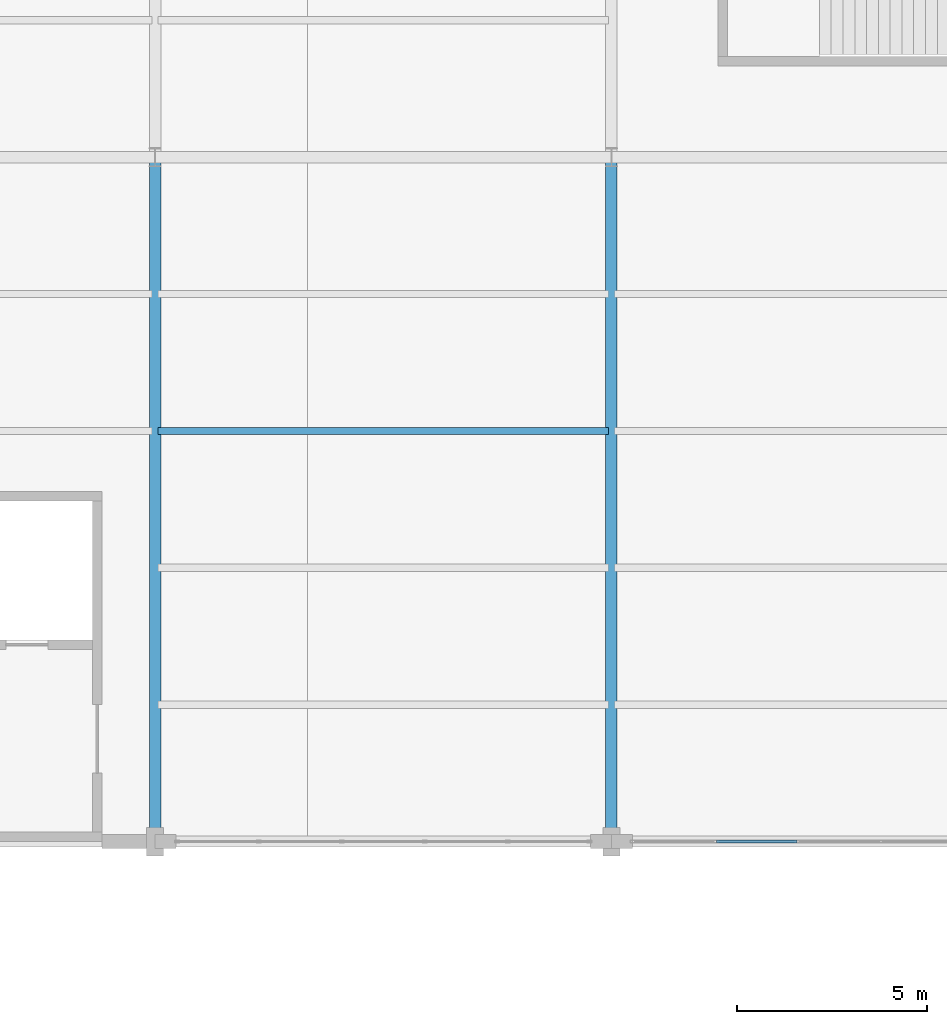
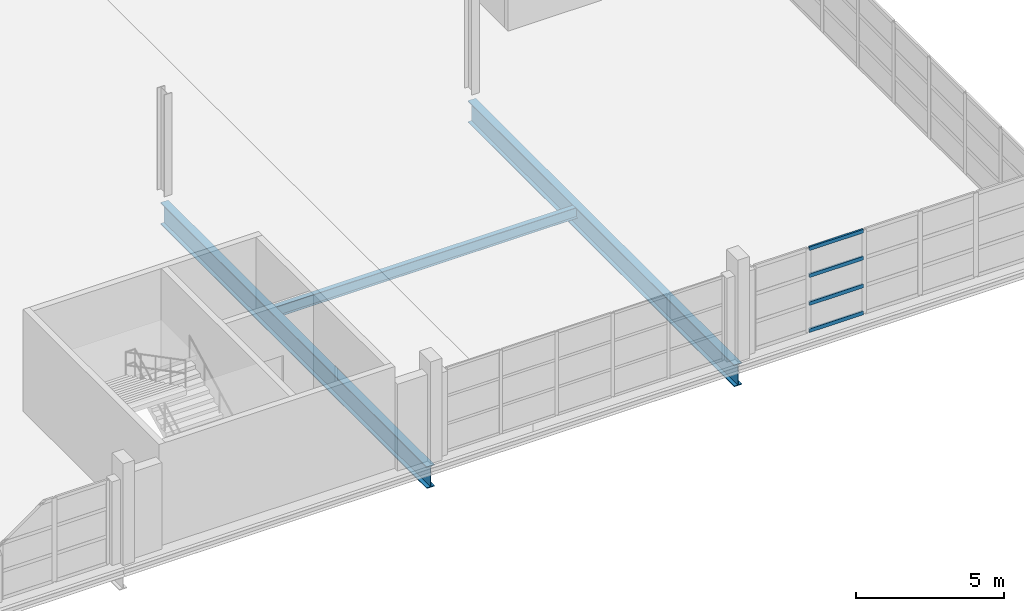
# One storey, part 99 of 147: 4 members, 3 beams, 1 element without a shape of its own.
"""IFC4 building model written with IfcOpenShell, lengths in metres."""

import ifcopenshell
import ifcopenshell.guid

model = None  # the IFC model being written
_history = None  # IfcOwnerHistory: only IFC2X3 demands one
_inside = {}  # id of a spatial element -> (the spatial element, [elements in it])
_under = {}  # id of a project, library or spatial element -> (it, [spatial elements below it])
_declared = {}  # id of a project -> (the project, [libraries it declares])
_typed = {}  # id of a type object -> (the type object, [elements of that type])
_made_of = {}  # id of a material, layer set ... -> (it, [elements and type objects made of it])


def new_model(schema):
    """Start an empty IFC model of exactly this schema.

    Asked for "IFC4X3", IfcOpenShell would pick the latest addendum, in which some entities
    have other attributes; the version numbers below select the first issue.
    IFC2X3 requires an IfcOwnerHistory on every rooted entity: one is made here for all.
    """
    global model, _history
    if schema == "IFC4X3":
        model = ifcopenshell.file(schema_version=(4, 3, 0, 0))
    else:
        model = ifcopenshell.file(schema=schema)
    _inside.clear()
    _under.clear()
    _declared.clear()
    _typed.clear()
    _made_of.clear()
    _history = None
    if model.schema == "IFC2X3":
        org = make("IfcOrganization", Name="unknown")
        user = make(
            "IfcPersonAndOrganization",
            ThePerson=make("IfcPerson", FamilyName="unknown"),
            TheOrganization=org,
        )
        app = make(
            "IfcApplication",
            ApplicationDeveloper=org,
            Version="unknown",
            ApplicationFullName="unknown",
            ApplicationIdentifier="unknown",
        )
        _history = make(
            "IfcOwnerHistory",
            OwningUser=user,
            OwningApplication=app,
            ChangeAction="ADDED",
            CreationDate=0,
        )
    return model


def make(cls, **values):
    """One entity of the class cls with the attributes given. An attribute that is None is left unset."""
    return model.create_entity(
        cls, **{name: value for name, value in values.items() if value is not None}
    )


def rooted(cls, **values):
    """An entity with a GlobalId (a new one), such as an element, a storey or a relation."""
    return make(cls, GlobalId=ifcopenshell.guid.new(), OwnerHistory=_history, **values)


def si_unit(unit_type, name, prefix=None):
    """IfcSIUnit, for example si_unit("LENGTHUNIT", "METRE", prefix="MILLI")."""
    return make("IfcSIUnit", UnitType=unit_type, Prefix=prefix, Name=name)


def assignment(units):
    """IfcUnitAssignment: the units of a project."""
    return None if units is None else make("IfcUnitAssignment", Units=units)


def point(xyz):
    """IfcCartesianPoint."""
    return None if xyz is None else make("IfcCartesianPoint", Coordinates=xyz)


def direction(xyz):
    """IfcDirection."""
    return None if xyz is None else make("IfcDirection", DirectionRatios=xyz)


def frame(location, z_axis=None, x_axis=None):
    """IfcAxis2Placement3D, a coordinate frame: its origin and axes. An axis left out is left unset."""
    return make(
        "IfcAxis2Placement3D",
        Location=point(location),
        Axis=direction(z_axis),
        RefDirection=direction(x_axis),
    )


def frame_2d(location, x_axis=None):
    """IfcAxis2Placement2D, a coordinate frame in the plane: its origin and x axis."""
    return make(
        "IfcAxis2Placement2D", Location=point(location), RefDirection=direction(x_axis)
    )


def origin():
    """The frame at (0, 0, 0) with its axes left unset."""
    return frame((0.0, 0.0, 0.0))


def origin_2d():
    """The frame at (0, 0) in the plane with its x axis left unset."""
    return frame_2d((0.0, 0.0))


def place(relative_to, where):
    """IfcLocalPlacement: puts the frame where relative to a parent placement (None: the world)."""
    return make(
        "IfcLocalPlacement", PlacementRelTo=relative_to, RelativePlacement=where
    )


def context(
    kind, dimensions, precision=None, world=None, true_north=None, identifier=None
):
    """IfcGeometricRepresentationContext, for example the 3D "Model" context."""
    return make(
        "IfcGeometricRepresentationContext",
        ContextIdentifier=identifier,
        ContextType=kind,
        CoordinateSpaceDimension=dimensions,
        Precision=precision,
        WorldCoordinateSystem=world,
        TrueNorth=true_north,
    )


def subcontext(parent, identifier, kind, view, scale=None):
    """IfcGeometricRepresentationSubContext, for example "Body" below "Model"."""
    return make(
        "IfcGeometricRepresentationSubContext",
        ContextIdentifier=identifier,
        ContextType=kind,
        ParentContext=parent,
        TargetScale=scale,
        TargetView=view,
    )


def project(units=None, contexts=None):
    """IfcProject with its units and contexts."""
    return rooted(
        "IfcProject",
        Name="project",
        RepresentationContexts=contexts,
        UnitsInContext=assignment(units),
    )


def spatial(cls, under=None, at=None, **own):
    """A site, building, storey or space (cls), placed at a placement, below another one or the project."""
    s = rooted(cls, ObjectPlacement=at, **own)
    if under is not None:
        _under.setdefault(under.id(), (under, []))[1].append(s)
    return s


def profile(cls, at=None, kind="AREA", **sizes):
    """A parametric profile (cls). Its sizes go by their IFC names, for example OverallWidth=200.0."""
    return make(cls, ProfileType=kind, Position=at, **sizes)


def hollow_rectangle(**sizes):
    """IfcRectangleHollowProfileDef."""
    return profile("IfcRectangleHollowProfileDef", **sizes)


def i_section(**sizes):
    """IfcIShapeProfileDef."""
    return profile("IfcIShapeProfileDef", **sizes)


def extrude(swept, where, along, depth):
    """IfcExtrudedAreaSolid: the profile swept, set in the frame where, extruded along a direction by depth."""
    return make(
        "IfcExtrudedAreaSolid",
        SweptArea=swept,
        Position=where,
        ExtrudedDirection=direction(along),
        Depth=depth,
    )


def shape(context_of_items, identifier, shape_type, items):
    """IfcShapeRepresentation: the items that make up one representation, for example the "Body"."""
    return make(
        "IfcShapeRepresentation",
        ContextOfItems=context_of_items,
        RepresentationIdentifier=identifier,
        RepresentationType=shape_type,
        Items=items,
    )


def material(Name=None, Category=None):
    """IfcMaterial."""
    return make("IfcMaterial", Name=Name, Category=Category)


def layer(
    of_material, thickness, ventilated=None, Name=None, Category=None, Priority=None
):
    """IfcMaterialLayer: one layer of a wall or slab, of a material (None: an air gap)."""
    return make(
        "IfcMaterialLayer",
        Material=of_material,
        LayerThickness=thickness,
        IsVentilated=ventilated,
        Name=Name,
        Category=Category,
        Priority=Priority,
    )


def layer_set(layers, Name=None):
    """IfcMaterialLayerSet."""
    return make("IfcMaterialLayerSet", MaterialLayers=layers, LayerSetName=Name)


def material_profile(
    of_material, cross_section, Name=None, Category=None, Priority=None
):
    """IfcMaterialProfile: a cross section and its material."""
    return make(
        "IfcMaterialProfile",
        Name=Name,
        Material=of_material,
        Profile=cross_section,
        Priority=Priority,
        Category=Category,
    )


def profile_set(profiles, Name=None, composite=None):
    """IfcMaterialProfileSet."""
    return make(
        "IfcMaterialProfileSet",
        Name=Name,
        MaterialProfiles=profiles,
        CompositeProfile=composite,
    )


def made_of(thing, what):
    """Note that an element or type object is made of a material, layer set ...; save() writes the relation."""
    if what is not None:
        _made_of.setdefault(what.id(), (what, []))[1].append(thing)
    return thing


def type_object(cls, material=None, **own):
    """A type object (cls), such as IfcWallType, which elements share."""
    return made_of(rooted(cls, **own), material)


def element(
    cls,
    number,
    at=None,
    inside=None,
    cuts=None,
    type_object=None,
    material=None,
    context=None,
    identifier="Body",
    shape_type=None,
    held_by="IfcProductDefinitionShape",
    body=None,
    shapes=None,
    **own,
):
    """One element of the class cls, such as IfcWall. Its Tag is "e" and its number.

    at: its placement. inside: the storey or other place that contains it. cuts: it is an
    opening in that element (IfcRelVoidsElement). A single representation is given by context,
    identifier, shape_type and body (its items); several are given by shapes. held_by: the class
    of the entity that holds the representations. save() writes the other relations.
    """
    e = rooted(cls, Tag="e%d" % number, ObjectPlacement=at, **own)
    if body is not None:
        shapes = [shape(context, identifier, shape_type, body)]
    if shapes is not None:
        e.Representation = make(held_by, Representations=shapes)
    if inside is not None:
        _inside.setdefault(inside.id(), (inside, []))[1].append(e)
    if cuts is not None:
        rooted(
            "IfcRelVoidsElement", RelatingBuildingElement=cuts, RelatedOpeningElement=e
        )
    if type_object is not None:
        _typed.setdefault(type_object.id(), (type_object, []))[1].append(e)
    return made_of(e, material)


def aggregate(whole, parts):
    """IfcRelAggregates: a whole, such as a stair, and the parts it consists of."""
    return rooted("IfcRelAggregates", RelatingObject=whole, RelatedObjects=parts)


def save(model, path):
    """Write the relations noted so far, then the file.

    IfcRelAggregates (storeys below a building ...), IfcRelContainedInSpatialStructure (elements
    in a storey), IfcRelDefinesByType, IfcRelAssociatesMaterial and IfcRelDeclares: one each for
    every whole, place, type object, material and project.
    """
    for whole, parts in _under.values():
        aggregate(whole, parts)
    for where, things in _inside.values():
        rooted(
            "IfcRelContainedInSpatialStructure",
            RelatedElements=things,
            RelatingStructure=where,
        )
    for kind, things in _typed.values():
        rooted("IfcRelDefinesByType", RelatedObjects=things, RelatingType=kind)
    for what, things in _made_of.values():
        rooted("IfcRelAssociatesMaterial", RelatedObjects=things, RelatingMaterial=what)
    for by, libraries in _declared.values():
        rooted("IfcRelDeclares", RelatingContext=by, RelatedDefinitions=libraries)
    model.write(path)


model = new_model("IFC4")

# Units and contexts
model_context = context("Model", 3, precision=1e-05, world=origin(), true_north=direction((0.0, 1.0)))
body_context = subcontext(model_context, "Body", "Model", "MODEL_VIEW")
ifc_project = project(units=[si_unit("LENGTHUNIT", "METRE"), si_unit("AREAUNIT", "SQUARE_METRE"), si_unit("VOLUMEUNIT", "CUBIC_METRE"), si_unit("PLANEANGLEUNIT", "RADIAN"), si_unit("MASSUNIT", "GRAM", prefix="KILO")], contexts=[model_context])

# Site, building, storey
site_placement = place(None, origin())
site = spatial("IfcSite", under=ifc_project, at=site_placement, CompositionType="ELEMENT")
building_placement = place(site_placement, origin())
building = spatial("IfcBuilding", under=site, at=building_placement, Name="Zilviju Railside Exhibition Hall", CompositionType="ELEMENT")
storey_placement = place(building_placement, frame((0.0, 0.0, 8.39990234375)))
storey = spatial("IfcBuildingStorey", under=building, at=storey_placement, Name="L03", CompositionType="ELEMENT", Elevation=8.39990234375)

# Beams
ifc_material_1 = material(Name="Steel S355J2", Category="steel")
ifc_material_profile_1 = material_profile(ifc_material_1, i_section(OverallWidth=0.300048828125, OverallDepth=0.89990234375, WebThickness=0.0185546875, FlangeThickness=0.034912109375, at=origin_2d()), Name="HEB 900")
ifc_profile_set_1 = profile_set([ifc_material_profile_1], Name="Steel S355J2")
beam_type_1 = type_object("IfcBeamType", Name="BM-HEB900", PredefinedType="BEAM", material=ifc_profile_set_1)
for number, where, z_axis, x_axis, name in (
    (1, (192.0, 84.0, -0.829833984375), (0.0, 1.0, 0.0), (-1.0, 0.0, 0.0), "Transverse Girder L03 X=192.0 (84.0..102.0)"),
    (2, (204.0, 84.0, -0.829833984375), (0.0, 1.0, 0.0), (-1.0, 0.0, 0.0), "Transverse Girder L03 X=204.0 (84.0..102.0)"),
):
    element("IfcBeam", number, at=place(storey_placement, frame(where, z_axis=z_axis, x_axis=x_axis)), inside=storey, type_object=beam_type_1, Name=name, PredefinedType="BEAM", context=body_context, shape_type="SweptSolid", body=[
        extrude(i_section(OverallWidth=0.300048828125, OverallDepth=0.89990234375, WebThickness=0.0185546875, FlangeThickness=0.034912109375, at=origin_2d()), origin(), (0.0, 0.0, 1.0), 18.0),
    ])
ifc_material_profile_2 = material_profile(ifc_material_1, i_section(OverallWidth=0.18994140625, OverallDepth=0.449951171875, WebThickness=0.009521484375, FlangeThickness=0.0146484375, at=origin_2d()), Name="IPE 450")
ifc_profile_set_2 = profile_set([ifc_material_profile_2], Name="Steel S355J2")
beam_type_2 = type_object("IfcBeamType", Name="BM-IPE450", PredefinedType="JOIST", material=ifc_profile_set_2)
beam_placement = place(storey_placement, frame((192.080078125, 94.800048828125, -0.60498046875), z_axis=(1.0, 0.0, 0.0), x_axis=(0.0, 1.0, 0.0)))
element("IfcBeam", 3, at=beam_placement, inside=storey, type_object=beam_type_2, Name="Composite Floor Joist L03 Y=94.80 (192.0..204.0)", PredefinedType="JOIST", context=body_context, shape_type="SweptSolid", body=[
    extrude(i_section(OverallWidth=0.18994140625, OverallDepth=0.449951171875, WebThickness=0.009521484375, FlangeThickness=0.0146484375, at=origin_2d()), origin(), (0.0, 0.0, 1.0), 11.83984375),
])

# Curtain wall, members
ifc_material_2 = material(Name="Thermally broken aluminium-steel triple-glazed curtain wall", Category="steel")
ifc_layer = layer(ifc_material_2, 0.179931640625)
ifc_layer_set = layer_set([ifc_layer], Name="Thermally broken aluminium-steel triple-glazed curtain wall")
curtain_wall_type = type_object("IfcCurtainWallType", Name="CW-BAY-05", PredefinedType="USERDEFINED", material=ifc_layer_set)
curtain_wall_placement = place(storey_placement, origin())
curtain_wall = element("IfcCurtainWall", 4, at=curtain_wall_placement, inside=storey, type_object=curtain_wall_type, Name="North Hall Garden Court Curtain Wall L03 (204..216)", ObjectType="GLAZED CURTAIN WALL", PredefinedType="USERDEFINED")
ifc_material_3 = material(Name="Thermally broken anodized aluminium transom", Category="aluminium")
ifc_material_profile_3 = material_profile(ifc_material_3, hollow_rectangle(XDim=0.070068359375, YDim=0.14990234375, WallThickness=0.0048828125, at=origin_2d()), Name="TRANSOM 150x70x5")
ifc_profile_set_3 = profile_set([ifc_material_profile_3], Name="Thermally broken anodized aluminium transom")
member_type = type_object("IfcMemberType", Name="CWT-70x150", PredefinedType="USERDEFINED", material=ifc_profile_set_3)
member_1_placement = place(storey_placement, frame((208.875, 84.0, 0.03515625), z_axis=(-1.0, 0.0, 0.0), x_axis=(0.0, -1.0, 0.0)))
member_1 = element("IfcMember", 5, at=member_1_placement, type_object=member_type, Name="CW-05 transom 4.1", ObjectType="TRANSOM", PredefinedType="USERDEFINED", context=body_context, shape_type="SweptSolid", body=[
    extrude(hollow_rectangle(XDim=0.070068359375, YDim=0.14990234375, WallThickness=0.0048828125, at=origin_2d()), origin(), (0.0, 0.0, 1.0), 2.110107421875),
])
member_2_placement = place(storey_placement, frame((208.875, 84.0, 1.150146484375), z_axis=(-1.0, 0.0, 0.0), x_axis=(0.0, -1.0, 0.0)))
member_2 = element("IfcMember", 6, at=member_2_placement, type_object=member_type, Name="CW-05 transom 4.2", ObjectType="TRANSOM", PredefinedType="USERDEFINED", context=body_context, shape_type="SweptSolid", body=[
    extrude(hollow_rectangle(XDim=0.070068359375, YDim=0.14990234375, WallThickness=0.0048828125, at=origin_2d()), origin(), (0.0, 0.0, 1.0), 2.110107421875),
])
member_3_placement = place(storey_placement, frame((208.875, 84.0, 2.300048828125), z_axis=(-1.0, 0.0, 0.0), x_axis=(0.0, -1.0, 0.0)))
member_3 = element("IfcMember", 7, at=member_3_placement, type_object=member_type, Name="CW-05 transom 4.3", ObjectType="TRANSOM", PredefinedType="USERDEFINED", context=body_context, shape_type="SweptSolid", body=[
    extrude(hollow_rectangle(XDim=0.070068359375, YDim=0.14990234375, WallThickness=0.0048828125, at=origin_2d()), origin(), (0.0, 0.0, 1.0), 2.110107421875),
])
member_4_placement = place(storey_placement, frame((208.875, 84.0, 3.4150390625), z_axis=(-1.0, 0.0, 0.0), x_axis=(0.0, -1.0, 0.0)))
member_4 = element("IfcMember", 8, at=member_4_placement, type_object=member_type, Name="CW-05 transom 4.4", ObjectType="TRANSOM", PredefinedType="USERDEFINED", context=body_context, shape_type="SweptSolid", body=[
    extrude(hollow_rectangle(XDim=0.070068359375, YDim=0.14990234375, WallThickness=0.0048828125, at=origin_2d()), origin(), (0.0, 0.0, 1.0), 2.110107421875),
])
aggregate(curtain_wall, [member_1, member_2, member_3, member_4])

save(model, "model.ifc")
